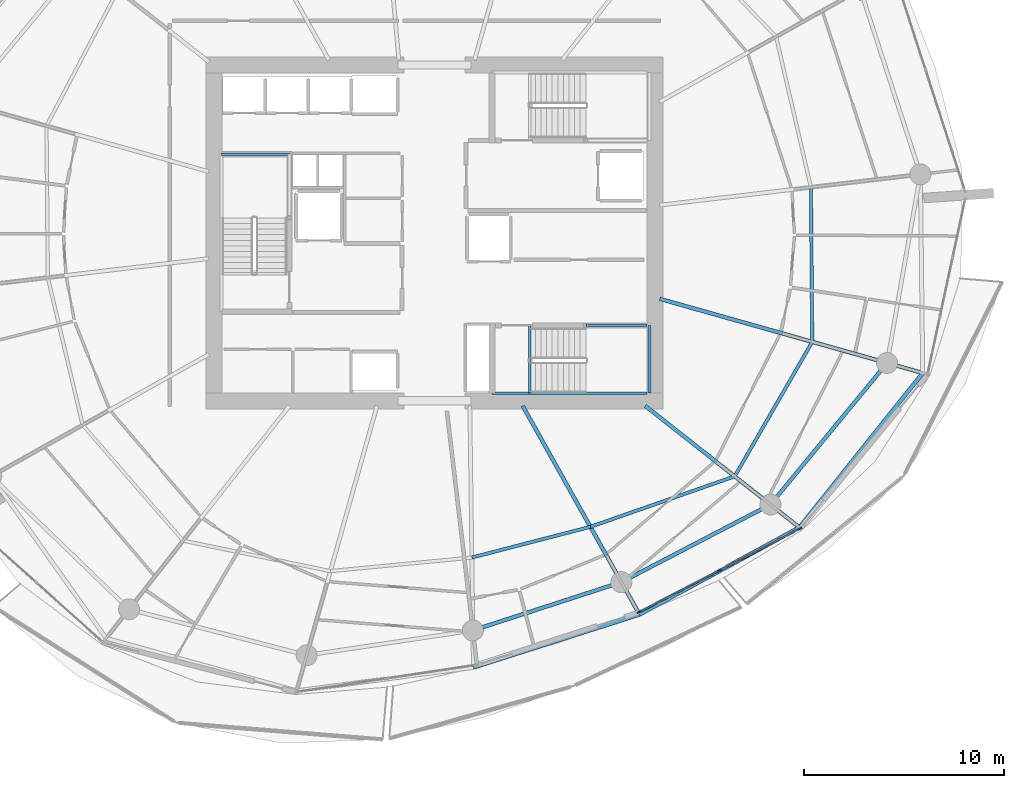
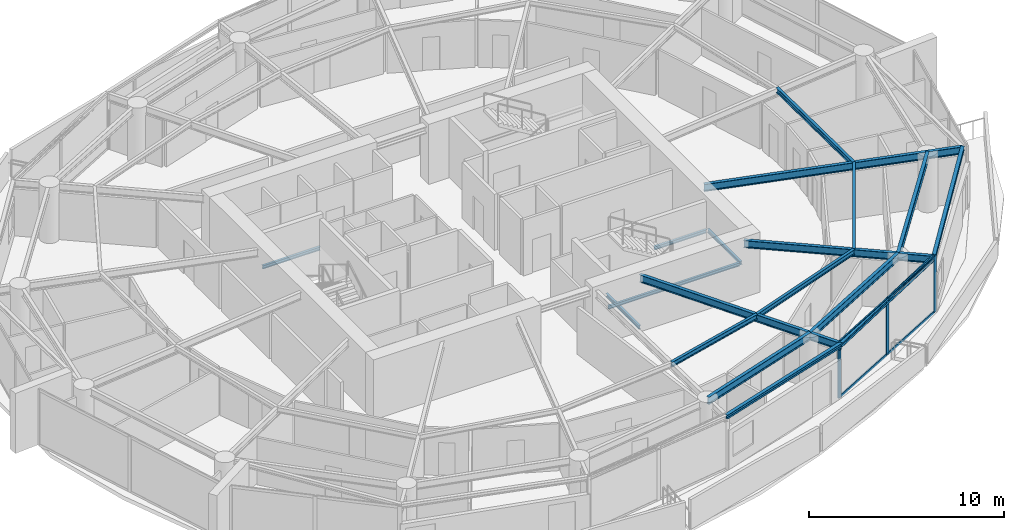
# One storey, part 6 of 20: 18 beams, 7 members, 1 element without a shape of its own.
"""IFC4 building model written with IfcOpenShell, lengths in metres."""

from ifc_helpers import new_model, si_unit, direction, frame, origin, origin_2d, place, context, subcontext, project, spatial, rectangle, i_section, extrude, material, layer, layer_set, material_profile, profile_set, type_object, element, aggregate, save


model = new_model("IFC4")

# Units and contexts
model_context = context("Model", 3, precision=1e-05, world=origin(), true_north=direction((0.0, 1.0)))
body_context = subcontext(model_context, "Body", "Model", "MODEL_VIEW")
ifc_project = project(units=[si_unit("LENGTHUNIT", "METRE"), si_unit("AREAUNIT", "SQUARE_METRE"), si_unit("VOLUMEUNIT", "CUBIC_METRE"), si_unit("PLANEANGLEUNIT", "RADIAN"), si_unit("MASSUNIT", "GRAM", prefix="KILO")], contexts=[model_context])

# Site, building, storey
site_placement = place(None, origin())
site = spatial("IfcSite", under=ifc_project, at=site_placement, CompositionType="ELEMENT")
building_placement = place(site_placement, origin())
building = spatial("IfcBuilding", under=site, at=building_placement, Name="Kazma Halo Residences", CompositionType="ELEMENT")
storey_placement = place(building_placement, frame((0.0, 0.0, 142.800048828125)))
storey = spatial("IfcBuildingStorey", under=building, at=storey_placement, Name="L35", CompositionType="ELEMENT", Elevation=142.800048828125)

# Beams
ifc_material_1 = material(Name="Steel S355", Category="steel")
ifc_material_profile_1 = material_profile(ifc_material_1, i_section(OverallWidth=0.201904296875, OverallDepth=0.2470703125, WebThickness=0.00732421875, FlangeThickness=0.010986328125, FilletRadius=0.011962890625, at=origin_2d()), Name="W250x49.1")
ifc_profile_set_1 = profile_set([ifc_material_profile_1], Name="Steel S355")
beam_type_1 = type_object("IfcBeamType", Name="BM-BAL-CANT", PredefinedType="BEAM", material=ifc_profile_set_1)
beam_1_placement = place(storey_placement, frame((50.37841796875, 20.269287109375, 3.37646484375), z_axis=(0.952724066304, 0.303836886315, 0.0), x_axis=(-0.303836886315, 0.952724066304, 0.0)))
element("IfcBeam", 1, at=beam_1_placement, inside=storey, type_object=beam_type_1, Name="L35 wave-balcony tie beam 12", PredefinedType="BEAM", context=body_context, shape_type="SweptSolid", body=[
    extrude(i_section(OverallWidth=0.201904296875, OverallDepth=0.2470703125, WebThickness=0.00732421875, FlangeThickness=0.010986328125, FilletRadius=0.011962890625, at=origin_2d()), origin(), (0.0, 0.0, 1.0), 8.719970703125),
])
beam_2_placement = place(storey_placement, frame((58.68603515625, 22.918701171875, 3.37646484375), z_axis=(0.878572913315, 0.477608245312, 0.0), x_axis=(-0.477608245312, 0.878572913315, 0.0)))
element("IfcBeam", 2, at=beam_2_placement, inside=storey, type_object=beam_type_1, Name="L35 wave-balcony tie beam 13", PredefinedType="BEAM", context=body_context, shape_type="SweptSolid", body=[
    extrude(i_section(OverallWidth=0.201904296875, OverallDepth=0.2470703125, WebThickness=0.00732421875, FlangeThickness=0.010986328125, FilletRadius=0.011962890625, at=origin_2d()), origin(), (0.0, 0.0, 1.0), 9.107177734375),
])
beam_3_placement = place(storey_placement, frame((66.687255859375, 27.268310546875, 3.37646484375), z_axis=(0.623742400336, 0.781629975131, 0.0), x_axis=(-0.781629975131, 0.623742400336, 0.0)))
element("IfcBeam", 3, at=beam_3_placement, inside=storey, type_object=beam_type_1, Name="L35 wave-balcony tie beam 14", PredefinedType="BEAM", context=body_context, shape_type="SweptSolid", body=[
    extrude(i_section(OverallWidth=0.201904296875, OverallDepth=0.2470703125, WebThickness=0.00732421875, FlangeThickness=0.010986328125, FilletRadius=0.011962890625, at=origin_2d()), origin(), (0.0, 0.0, 1.0), 9.880859375),
])
ifc_material_profile_2 = material_profile(ifc_material_1, i_section(OverallWidth=0.18994140625, OverallDepth=0.45703125, WebThickness=0.009033203125, FlangeThickness=0.014404296875, FilletRadius=0.01611328125, at=origin_2d()), Name="W460x74")
ifc_profile_set_2 = profile_set([ifc_material_profile_2], Name="Steel S355")
beam_type_2 = type_object("IfcBeamType", Name="BM-RAD-W460", PredefinedType="BEAM", material=ifc_profile_set_2)
beam_4_placement = place(storey_placement, frame((52.84423828125, 33.35009765625, 3.271484375), z_axis=(0.488617048735, -0.872498355119, 0.0), x_axis=(0.872498355119, 0.488617048735, 0.0)))
element("IfcBeam", 4, at=beam_4_placement, inside=storey, type_object=beam_type_2, Name="L35 radial floor beam 13", PredefinedType="BEAM", context=body_context, shape_type="SweptSolid", body=[
    extrude(i_section(OverallWidth=0.18994140625, OverallDepth=0.45703125, WebThickness=0.009033203125, FlangeThickness=0.014404296875, FilletRadius=0.01611328125, at=origin_2d()), origin(), (0.0, 0.0, 1.0), 11.955810546875),
])
beam_5_placement = place(storey_placement, frame((58.972412109375, 33.35009765625, 3.271484375), z_axis=(0.785322142498, -0.619087338347, 0.0), x_axis=(0.619087338347, 0.785322142498, 0.0)))
element("IfcBeam", 5, at=beam_5_placement, inside=storey, type_object=beam_type_2, Name="L35 radial floor beam 14", PredefinedType="BEAM", context=body_context, shape_type="SweptSolid", body=[
    extrude(i_section(OverallWidth=0.18994140625, OverallDepth=0.45703125, WebThickness=0.009033203125, FlangeThickness=0.014404296875, FilletRadius=0.01611328125, at=origin_2d()), origin(), (0.0, 0.0, 1.0), 9.82373046875),
])
beam_6_placement = place(storey_placement, frame((59.699951171875, 38.7001953125, 3.271484375), z_axis=(0.962456259321, -0.271436823024, 0.0), x_axis=(0.271436823024, 0.962456259321, 0.0)))
element("IfcBeam", 6, at=beam_6_placement, inside=storey, type_object=beam_type_2, Name="L35 radial floor beam 15", PredefinedType="BEAM", context=body_context, shape_type="SweptSolid", body=[
    extrude(i_section(OverallWidth=0.18994140625, OverallDepth=0.45703125, WebThickness=0.009033203125, FlangeThickness=0.014404296875, FilletRadius=0.01611328125, at=origin_2d()), origin(), (0.0, 0.0, 1.0), 13.663330078125),
])
ifc_material_profile_3 = material_profile(ifc_material_1, i_section(OverallWidth=0.1650390625, OverallDepth=0.31005859375, WebThickness=0.005859375, FlangeThickness=0.009765625, FilletRadius=0.011962890625, at=origin_2d()), Name="W310x38.7")
ifc_profile_set_3 = profile_set([ifc_material_profile_3], Name="Steel S355")
beam_type_3 = type_object("IfcBeamType", Name="BM-SEC-W310B", PredefinedType="JOIST", material=ifc_profile_set_3)
beam_7_placement = place(storey_placement, frame((50.303466796875, 25.76318359375, 3.344970703125), z_axis=(0.968017337658, 0.250883307524, 0.0), x_axis=(-0.250883307524, 0.968017337658, 0.0)))
element("IfcBeam", 7, at=beam_7_placement, inside=storey, type_object=beam_type_3, Name="L35 circumferential floor joist 12", PredefinedType="JOIST", context=body_context, shape_type="SweptSolid", body=[
    extrude(i_section(OverallWidth=0.1650390625, OverallDepth=0.31005859375, WebThickness=0.005859375, FlangeThickness=0.009765625, FilletRadius=0.011962890625, at=origin_2d()), origin(), (0.0, 0.0, 1.0), 6.124755859375),
])
beam_8_placement = place(storey_placement, frame((56.232421875, 27.2998046875, 3.344970703125), z_axis=(0.943956421223, 0.330070105935, 0.0), x_axis=(-0.330070105935, 0.943956421223, 0.0)))
element("IfcBeam", 8, at=beam_8_placement, inside=storey, type_object=beam_type_3, Name="L35 circumferential floor joist 13", PredefinedType="JOIST", context=body_context, shape_type="SweptSolid", body=[
    extrude(i_section(OverallWidth=0.1650390625, OverallDepth=0.31005859375, WebThickness=0.005859375, FlangeThickness=0.009765625, FilletRadius=0.011962890625, at=origin_2d()), origin(), (0.0, 0.0, 1.0), 7.642822265625),
])
beam_9_placement = place(storey_placement, frame((63.447021484375, 29.822509765625, 3.344970703125), z_axis=(0.499666203496, 0.866218035533, 0.0), x_axis=(-0.866218035533, 0.499666203496, 0.0)))
element("IfcBeam", 9, at=beam_9_placement, inside=storey, type_object=beam_type_3, Name="L35 circumferential floor joist 14", PredefinedType="JOIST", context=body_context, shape_type="SweptSolid", body=[
    extrude(i_section(OverallWidth=0.1650390625, OverallDepth=0.31005859375, WebThickness=0.005859375, FlangeThickness=0.009765625, FilletRadius=0.011962890625, at=origin_2d()), origin(), (0.0, 0.0, 1.0), 7.765380859375),
])
beam_10_placement = place(storey_placement, frame((67.3271484375, 36.549072265625, 3.344970703125), z_axis=(-0.008779348348, 0.999961460779, 0.0), x_axis=(-0.999961460779, -0.008779348348, 0.0)))
element("IfcBeam", 10, at=beam_10_placement, inside=storey, type_object=beam_type_3, Name="L35 circumferential floor joist 15", PredefinedType="JOIST", context=body_context, shape_type="SweptSolid", body=[
    extrude(i_section(OverallWidth=0.1650390625, OverallDepth=0.31005859375, WebThickness=0.005859375, FlangeThickness=0.009765625, FilletRadius=0.011962890625, at=origin_2d()), origin(), (0.0, 0.0, 1.0), 7.730712890625),
])
ifc_material_profile_4 = material_profile(ifc_material_1, i_section(OverallWidth=0.18994140625, OverallDepth=0.45703125, WebThickness=0.009033203125, FlangeThickness=0.014404296875, FilletRadius=0.01611328125, at=origin_2d()), Name="W460x74")
ifc_profile_set_4 = profile_set([ifc_material_profile_4], Name="Steel S355")
beam_type_4 = type_object("IfcBeamType", Name="BM-SPN-W460", PredefinedType="BEAM", material=ifc_profile_set_4)
beam_11_placement = place(storey_placement, frame((50.35302734375, 22.118896484375, 3.271484375), z_axis=(0.95105634578, 0.309017519167, 0.0), x_axis=(-0.309017519167, 0.95105634578, 0.0)))
element("IfcBeam", 11, at=beam_11_placement, inside=storey, type_object=beam_type_4, Name="L35 perimeter ring beam 12", PredefinedType="BEAM", context=body_context, shape_type="SweptSolid", body=[
    extrude(i_section(OverallWidth=0.18994140625, OverallDepth=0.45703125, WebThickness=0.009033203125, FlangeThickness=0.014404296875, FilletRadius=0.01611328125, at=origin_2d()), origin(), (0.0, 0.0, 1.0), 7.811279296875),
])
beam_12_placement = place(storey_placement, frame((57.781982421875, 24.53271484375, 3.271484375), z_axis=(0.886943099021, 0.461878706046, 0.0), x_axis=(-0.461878706046, 0.886943099021, 0.0)))
element("IfcBeam", 12, at=beam_12_placement, inside=storey, type_object=beam_type_4, Name="L35 perimeter ring beam 13", PredefinedType="BEAM", context=body_context, shape_type="SweptSolid", body=[
    extrude(i_section(OverallWidth=0.18994140625, OverallDepth=0.45703125, WebThickness=0.009033203125, FlangeThickness=0.014404296875, FilletRadius=0.01611328125, at=origin_2d()), origin(), (0.0, 0.0, 1.0), 8.40234375),
])
beam_13_placement = place(storey_placement, frame((65.234375, 28.41357421875, 3.271484375), z_axis=(0.636018723515, 0.771673624882, 0.0), x_axis=(-0.771673624882, 0.636018723515, 0.0)))
element("IfcBeam", 13, at=beam_13_placement, inside=storey, type_object=beam_type_4, Name="L35 perimeter ring beam 14", PredefinedType="BEAM", context=body_context, shape_type="SweptSolid", body=[
    extrude(i_section(OverallWidth=0.18994140625, OverallDepth=0.45703125, WebThickness=0.009033203125, FlangeThickness=0.014404296875, FilletRadius=0.01611328125, at=origin_2d()), origin(), (0.0, 0.0, 1.0), 9.175048828125),
])
ifc_material_profile_5 = material_profile(ifc_material_1, i_section(OverallWidth=0.133056640625, OverallDepth=0.20703125, WebThickness=0.005859375, FlangeThickness=0.00830078125, FilletRadius=0.010009765625, at=origin_2d()), Name="W200x26.6")
ifc_profile_set_5 = profile_set([ifc_material_profile_5], Name="Steel S355")
beam_type_5 = type_object("IfcBeamType", Name="BM-TRIM-W200", PredefinedType="BEAM", material=ifc_profile_set_5)
beam_14_placement = place(storey_placement, frame((53.199951171875, 34.0, -0.360107421875), z_axis=(0.0, 1.0, 0.0), x_axis=(-1.0, 0.0, 0.0)))
element("IfcBeam", 14, at=beam_14_placement, inside=storey, type_object=beam_type_5, Name="L35 ST-03 floor landing support beam", PredefinedType="BEAM", context=body_context, shape_type="SweptSolid", body=[
    extrude(i_section(OverallWidth=0.133056640625, OverallDepth=0.20703125, WebThickness=0.005859375, FlangeThickness=0.00830078125, FilletRadius=0.010009765625, at=origin_2d()), origin(), (0.0, 0.0, 1.0), 3.3798828125),
])
beam_15_placement = place(storey_placement, frame((37.780029296875, 45.93994140625, 1.570068359375), z_axis=(1.0, 0.0, 0.0), x_axis=(0.0, 1.0, 0.0)))
element("IfcBeam", 15, at=beam_15_placement, inside=storey, type_object=beam_type_5, Name="L35 ST-01 landing end wall ledger", PredefinedType="BEAM", context=body_context, shape_type="SweptSolid", body=[
    extrude(i_section(OverallWidth=0.133056640625, OverallDepth=0.20703125, WebThickness=0.005859375, FlangeThickness=0.00830078125, FilletRadius=0.010009765625, at=origin_2d()), origin(), (0.0, 0.0, 1.0), 3.39990234375),
])
beam_16_placement = place(storey_placement, frame((51.31005859375, 33.97998046875, 1.570068359375), z_axis=(1.0, 0.0, 0.0), x_axis=(0.0, 1.0, 0.0)))
element("IfcBeam", 16, at=beam_16_placement, inside=storey, type_object=beam_type_5, Name="L35 ST-03 landing south wall ledger", PredefinedType="BEAM", context=body_context, shape_type="SweptSolid", body=[
    extrude(i_section(OverallWidth=0.133056640625, OverallDepth=0.20703125, WebThickness=0.005859375, FlangeThickness=0.00830078125, FilletRadius=0.010009765625, at=origin_2d()), origin(), (0.0, 0.0, 1.0), 7.760009765625),
])
beam_17_placement = place(storey_placement, frame((56.0, 37.3798828125, 1.570068359375), z_axis=(1.0, 0.0, 0.0), x_axis=(0.0, 1.0, 0.0)))
element("IfcBeam", 17, at=beam_17_placement, inside=storey, type_object=beam_type_5, Name="L35 ST-03 landing north wall ledger", PredefinedType="BEAM", context=body_context, shape_type="SweptSolid", body=[
    extrude(i_section(OverallWidth=0.133056640625, OverallDepth=0.20703125, WebThickness=0.005859375, FlangeThickness=0.00830078125, FilletRadius=0.010009765625, at=origin_2d()), origin(), (0.0, 0.0, 1.0), 3.070068359375),
])
beam_18_placement = place(storey_placement, frame((59.18994140625, 33.97998046875, 1.570068359375), z_axis=(0.0, 1.0, 0.0), x_axis=(-1.0, 0.0, 0.0)))
element("IfcBeam", 18, at=beam_18_placement, inside=storey, type_object=beam_type_5, Name="L35 ST-03 landing end wall ledger", PredefinedType="BEAM", context=body_context, shape_type="SweptSolid", body=[
    extrude(i_section(OverallWidth=0.133056640625, OverallDepth=0.20703125, WebThickness=0.005859375, FlangeThickness=0.00830078125, FilletRadius=0.010009765625, at=origin_2d()), origin(), (0.0, 0.0, 1.0), 3.39990234375),
])

# Curtain wall, members
ifc_material_2 = material(Name="Aluminium AW-6063 T6 and Triple-Silver Low-E Glass", Category="aluminium")
ifc_layer = layer(ifc_material_2, 0.219970703125)
ifc_layer_set = layer_set([ifc_layer], Name="Aluminium AW-6063 T6 and Triple-Silver Low-E Glass")
curtain_wall_type = type_object("IfcCurtainWallType", Name="CW-SYS-4", PredefinedType="NOTDEFINED", material=ifc_layer_set)
curtain_wall_placement = place(storey_placement, origin())
curtain_wall = element("IfcCurtainWall", 19, at=curtain_wall_placement, inside=storey, type_object=curtain_wall_type, Name="L35 unitised curtain wall B13", PredefinedType="NOTDEFINED")
ifc_material_3 = material(Name="Aluminium AW-6063 T6", Category="aluminium")
ifc_material_profile_6 = material_profile(ifc_material_3, rectangle(XDim=0.074951171875, YDim=0.219970703125, at=origin_2d()), Name="CWM-75x220")
ifc_profile_set_6 = profile_set([ifc_material_profile_6], Name="Aluminium AW-6063 T6")
member_type_1 = type_object("IfcMemberType", Name="CW-SYS-4-MUL", PredefinedType="MULLION", material=ifc_profile_set_6)
member_1_placement = place(storey_placement, frame((58.66552734375, 23.0322265625, 0.0), z_axis=(0.0, 0.0, 1.0), x_axis=(-0.460837484552, 0.887484542306, 0.0)))
member_1 = element("IfcMember", 20, at=member_1_placement, type_object=member_type_1, Name="CWS-4 mullion 1", PredefinedType="MULLION", context=body_context, shape_type="SweptSolid", body=[
    extrude(rectangle(XDim=0.074951171875, YDim=0.219970703125, at=origin_2d()), origin(), (0.0, 0.0, 1.0), 3.5),
])
member_2_placement = place(storey_placement, frame((62.686767578125, 25.120361328125, 0.0), z_axis=(0.0, 0.0, 1.0), x_axis=(-0.460837484552, 0.887484542306, 0.0)))
member_2 = element("IfcMember", 21, at=member_2_placement, type_object=member_type_1, Name="CWS-4 mullion 2", PredefinedType="MULLION", context=body_context, shape_type="SweptSolid", body=[
    extrude(rectangle(XDim=0.074951171875, YDim=0.219970703125, at=origin_2d()), origin(), (0.0, 0.0, 1.0), 3.5),
])
member_3_placement = place(storey_placement, frame((66.7080078125, 27.208251953125, 0.0), z_axis=(0.0, 0.0, 1.0), x_axis=(-0.460837484552, 0.887484542306, 0.0)))
member_3 = element("IfcMember", 22, at=member_3_placement, type_object=member_type_1, Name="CWS-4 mullion 3", PredefinedType="MULLION", context=body_context, shape_type="SweptSolid", body=[
    extrude(rectangle(XDim=0.074951171875, YDim=0.219970703125, at=origin_2d()), origin(), (0.0, 0.0, 1.0), 3.5),
])
ifc_material_profile_7 = material_profile(ifc_material_3, rectangle(XDim=0.074951171875, YDim=0.1650390625, at=origin_2d()), Name="CWT-75x165")
ifc_profile_set_7 = profile_set([ifc_material_profile_7], Name="Aluminium AW-6063 T6")
member_type_2 = type_object("IfcMemberType", Name="CW-SYS-4-TRN", PredefinedType="USERDEFINED", material=ifc_profile_set_7)
member_4_placement = place(storey_placement, frame((58.69873046875, 23.049560546875, 0.037353515625), z_axis=(0.887484872803, 0.460836848077, 0.0), x_axis=(-0.460836848077, 0.887484872803, 0.0)))
member_4 = element("IfcMember", 23, at=member_4_placement, type_object=member_type_2, Name="CWS-4 transom 1.1", ObjectType="TRANSOM", PredefinedType="USERDEFINED", context=body_context, shape_type="SweptSolid", body=[
    extrude(rectangle(XDim=0.074951171875, YDim=0.1650390625, at=origin_2d()), origin(), (0.0, 0.0, 1.0), 4.4560546875),
])
member_5_placement = place(storey_placement, frame((58.69873046875, 23.049560546875, 3.46240234375), z_axis=(0.887484872803, 0.460836848077, 0.0), x_axis=(-0.460836848077, 0.887484872803, 0.0)))
member_5 = element("IfcMember", 24, at=member_5_placement, type_object=member_type_2, Name="CWS-4 transom 1.2", ObjectType="TRANSOM", PredefinedType="USERDEFINED", context=body_context, shape_type="SweptSolid", body=[
    extrude(rectangle(XDim=0.074951171875, YDim=0.1650390625, at=origin_2d()), origin(), (0.0, 0.0, 1.0), 4.4560546875),
])
member_6_placement = place(storey_placement, frame((62.719970703125, 25.137451171875, 0.037353515625), z_axis=(0.887484872803, 0.460836848077, 0.0), x_axis=(-0.460836848077, 0.887484872803, 0.0)))
member_6 = element("IfcMember", 25, at=member_6_placement, type_object=member_type_2, Name="CWS-4 transom 2.1", ObjectType="TRANSOM", PredefinedType="USERDEFINED", context=body_context, shape_type="SweptSolid", body=[
    extrude(rectangle(XDim=0.074951171875, YDim=0.1650390625, at=origin_2d()), origin(), (0.0, 0.0, 1.0), 4.4560546875),
])
member_7_placement = place(storey_placement, frame((62.719970703125, 25.137451171875, 3.46240234375), z_axis=(0.887484872803, 0.460836848077, 0.0), x_axis=(-0.460836848077, 0.887484872803, 0.0)))
member_7 = element("IfcMember", 26, at=member_7_placement, type_object=member_type_2, Name="CWS-4 transom 2.2", ObjectType="TRANSOM", PredefinedType="USERDEFINED", context=body_context, shape_type="SweptSolid", body=[
    extrude(rectangle(XDim=0.074951171875, YDim=0.1650390625, at=origin_2d()), origin(), (0.0, 0.0, 1.0), 4.4560546875),
])
aggregate(curtain_wall, [member_1, member_2, member_3, member_4, member_5, member_6, member_7])

save(model, "model.ifc")
